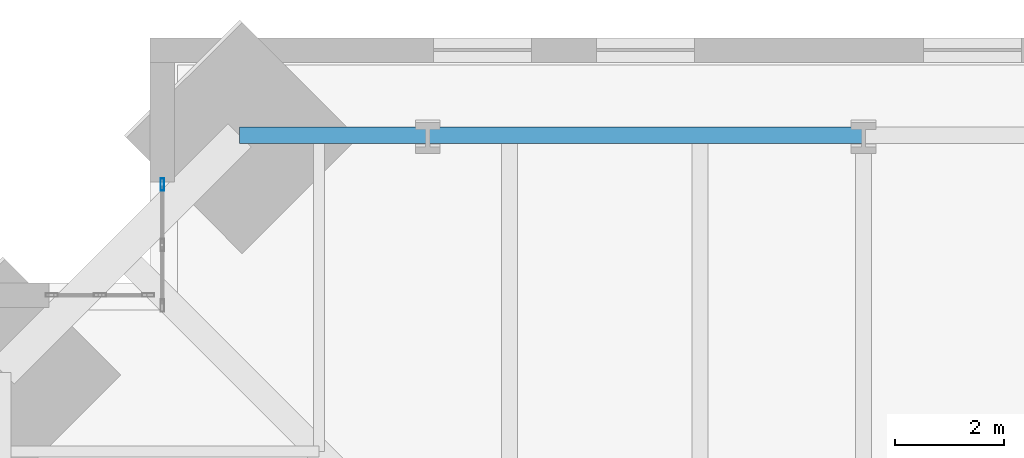
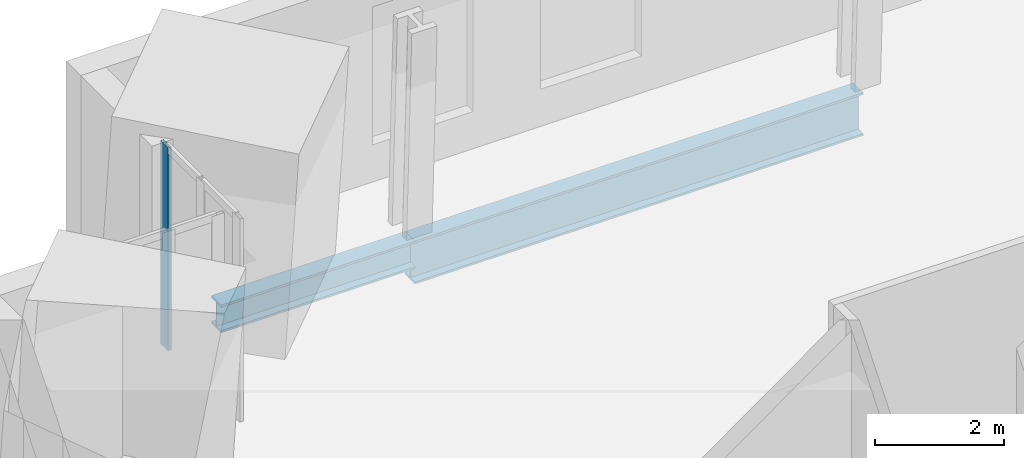
# One storey, part 8 of 18: 2 beams, 1 member, 1 element without a shape of its own.
"""IFC4 building model written with IfcOpenShell, lengths in metres."""

from ifc_helpers import new_model, si_unit, direction, frame, origin, origin_2d, place, context, subcontext, project, spatial, hollow_rectangle, i_section, extrude, material, material_profile, profile_set, type_object, element, aggregate, save


model = new_model("IFC4")

# Units and contexts
model_context = context("Model", 3, precision=1e-05, world=origin(), true_north=direction((0.0, 1.0)))
body_context = subcontext(model_context, "Body", "Model", "MODEL_VIEW")
ifc_project = project(units=[si_unit("LENGTHUNIT", "METRE"), si_unit("AREAUNIT", "SQUARE_METRE"), si_unit("VOLUMEUNIT", "CUBIC_METRE"), si_unit("PLANEANGLEUNIT", "RADIAN"), si_unit("MASSUNIT", "GRAM", prefix="KILO")], contexts=[model_context])

# Site, building, storey
site_placement = place(None, origin())
site = spatial("IfcSite", under=ifc_project, at=site_placement, CompositionType="ELEMENT")
building_placement = place(site_placement, origin())
building = spatial("IfcBuilding", under=site, at=building_placement, Name="Peilmerk Tower", CompositionType="ELEMENT")
storey_placement = place(building_placement, frame((0.0, 0.0, 175.800048828125)))
storey = spatial("IfcBuildingStorey", under=building, at=storey_placement, Name="L37", CompositionType="ELEMENT", Elevation=175.800048828125)

# Beams
ifc_material_1 = material(Name="Steel S355", Category="steel")
ifc_material_profile_1 = material_profile(ifc_material_1, i_section(OverallWidth=0.302978515625, OverallDepth=0.81396484375, WebThickness=0.02099609375, FlangeThickness=0.0400390625, at=origin_2d()), Name="HEM 800")
ifc_profile_set_1 = profile_set([ifc_material_profile_1], Name="Steel S355")
beam_type_1 = type_object("IfcBeamType", Name="B15 HEM 800 edge beam", PredefinedType="SPANDREL", material=ifc_profile_set_1)
beam_1_placement = place(storey_placement, frame((-8.0, 23.80810546875, -0.5771484375), z_axis=(-1.0, 0.0, 0.0), x_axis=(0.0, -1.0, 0.0)))
element("IfcBeam", 1, at=beam_1_placement, inside=storey, type_object=beam_type_1, Name="Edge beam L37", PredefinedType="SPANDREL", context=body_context, shape_type="SweptSolid", body=[
    extrude(i_section(OverallWidth=0.302978515625, OverallDepth=0.81396484375, WebThickness=0.02099609375, FlangeThickness=0.0400390625, at=origin_2d()), origin(), (0.0, 0.0, 1.0), 8.0),
])
ifc_material_profile_2 = material_profile(ifc_material_1, i_section(OverallWidth=0.305908203125, OverallDepth=0.52392578125, WebThickness=0.02099609375, FlangeThickness=0.0400390625, at=origin_2d()), Name="HEM 500")
ifc_profile_set_2 = profile_set([ifc_material_profile_2], Name="Steel S355")
beam_type_2 = type_object("IfcBeamType", Name="B33 HEM 500 edge beam", PredefinedType="SPANDREL", material=ifc_profile_set_2)
beam_2_placement = place(storey_placement, frame((-16.0, 23.80810546875, -0.43212890625), z_axis=(-1.0, 0.0, 0.0), x_axis=(0.0, -1.0, 0.0)))
element("IfcBeam", 2, at=beam_2_placement, inside=storey, type_object=beam_type_2, Name="Edge beam L37", PredefinedType="SPANDREL", context=body_context, shape_type="SweptSolid", body=[
    extrude(i_section(OverallWidth=0.305908203125, OverallDepth=0.52392578125, WebThickness=0.02099609375, FlangeThickness=0.0400390625, at=origin_2d()), origin(), (0.0, 0.0, 1.0), 3.4580078125),
])

# Curtain wall, member
ifc_material_2 = material(Name="Aluminium stick curtain wall", Category="aluminium")
curtain_wall_type = type_object("IfcCurtainWallType", Name="CW3 stick curtain wall, 2250 module", PredefinedType="NOTDEFINED", material=ifc_material_2)
curtain_wall_placement = place(storey_placement, origin())
curtain_wall = element("IfcCurtainWall", 3, at=curtain_wall_placement, inside=storey, type_object=curtain_wall_type, Name="Curtain wall CW3 NWA L37", PredefinedType="NOTDEFINED")
ifc_material_3 = material(Name="Aluminium EN AW-6063 T6", Category="aluminium")
ifc_material_profile_3 = material_profile(ifc_material_3, hollow_rectangle(XDim=0.06494140625, YDim=0.22509765625, WallThickness=0.00390625, at=origin_2d()), Name="AL 225x65x4")
ifc_profile_set_3 = profile_set([ifc_material_profile_3], Name="Aluminium EN AW-6063 T6")
member_type = type_object("IfcMemberType", Name="CW3-M AL 225x65x4 mullion", PredefinedType="MULLION", material=ifc_profile_set_3)
member_placement = place(storey_placement, frame((-20.875, 22.90625, 0.0), z_axis=(0.0, 0.0, 1.0), x_axis=(-1.0, 0.0, 0.0)))
member = element("IfcMember", 4, at=member_placement, type_object=member_type, Name="CW3 mullion 3", PredefinedType="MULLION", context=body_context, shape_type="SweptSolid", body=[
    extrude(hollow_rectangle(XDim=0.06494140625, YDim=0.22509765625, WallThickness=0.00390625, at=origin_2d()), origin(), (0.0, 0.0, 1.0), 3.829833984375),
])
aggregate(curtain_wall, [member])

save(model, "model.ifc")
